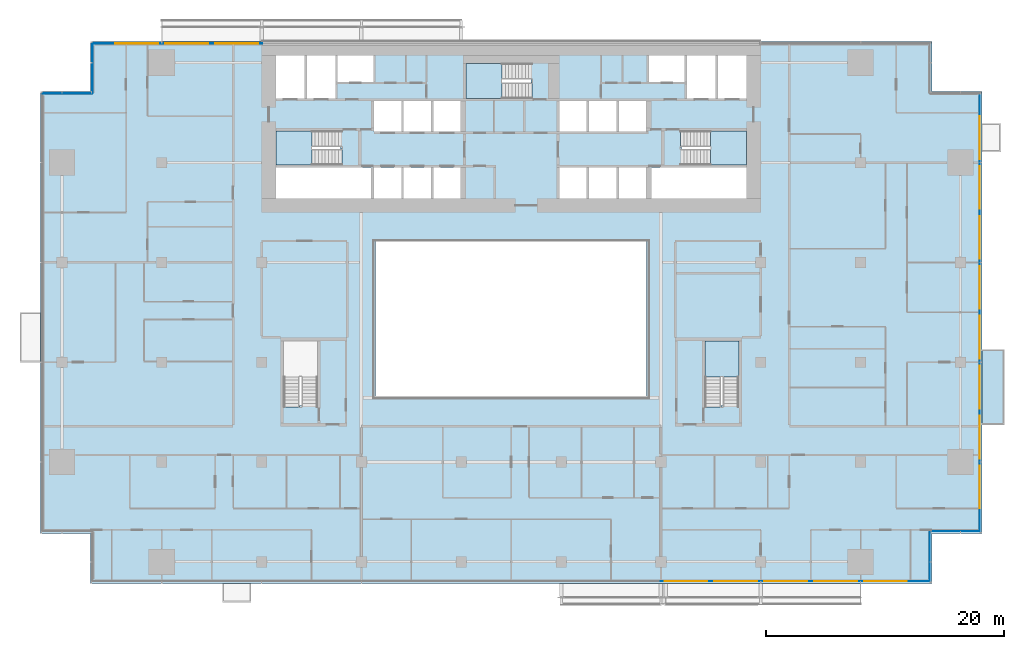
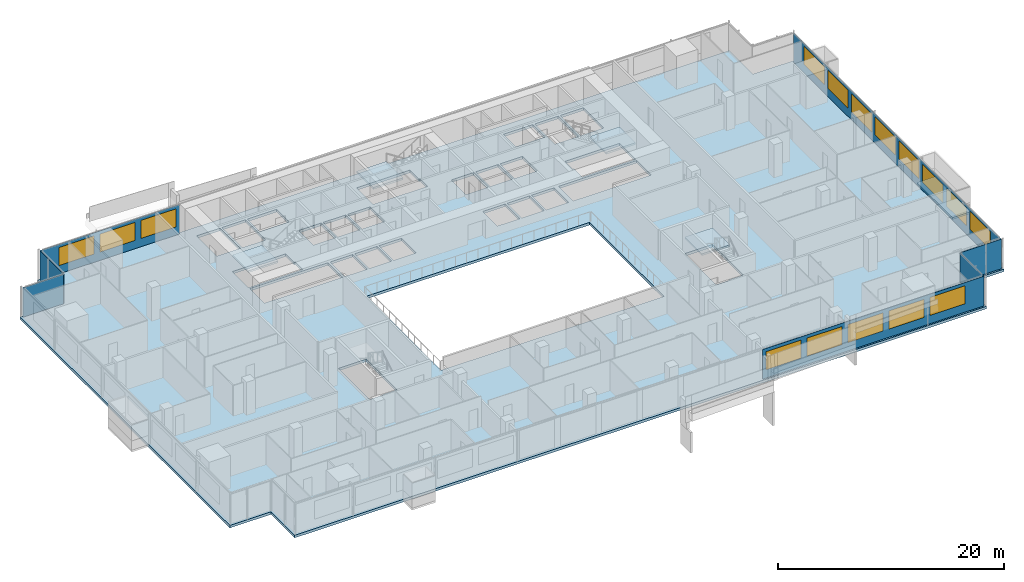
# One storey, part 15 of 27: 16 windows, 7 plates, 6 slabs, 16 openings, 11 elements without a shape of their own.
"""IFC4 building model written with IfcOpenShell, lengths in metres."""

from ifc_helpers import new_model, si_unit, direction, frame, frame_2d, origin, place, context, subcontext, project, spatial, polyline, rectangle, outline, extrude, material, layer, layer_set, type_object, element, fill, aggregate, save


model = new_model("IFC4")

# Units and contexts
model_context = context("Model", 3, precision=1e-05, world=origin(), true_north=direction((0.0, 1.0)))
body_context = subcontext(model_context, "Body", "Model", "MODEL_VIEW")
ifc_project = project(units=[si_unit("LENGTHUNIT", "METRE"), si_unit("AREAUNIT", "SQUARE_METRE"), si_unit("VOLUMEUNIT", "CUBIC_METRE"), si_unit("PLANEANGLEUNIT", "RADIAN"), si_unit("MASSUNIT", "GRAM", prefix="KILO")], contexts=[model_context])

# Site, building, storey
site_placement = place(None, origin())
site = spatial("IfcSite", under=ifc_project, at=site_placement, CompositionType="ELEMENT")
building_placement = place(site_placement, origin())
building = spatial("IfcBuilding", under=site, at=building_placement, Name="Saffron Gate Tower", CompositionType="ELEMENT")
storey_placement = place(building_placement, frame((0.0, 0.0, 66.0)))
storey = spatial("IfcBuildingStorey", under=building, at=storey_placement, Name="L15", CompositionType="ELEMENT", Elevation=66.0)

# Curtain wall, plate, openings, windows
ifc_material_1 = material(Name="Aluminium, bronze anodised", Category="aluminium")
curtain_wall_type_1 = type_object("IfcCurtainWallType", Name="CWS1 curtain wall front facade", PredefinedType="NOTDEFINED", material=ifc_material_1)
curtain_wall_1_placement = place(storey_placement, origin())
curtain_wall_1 = element("IfcCurtainWall", 1, at=curtain_wall_1_placement, inside=storey, type_object=curtain_wall_type_1, Name="CWS1 run 1", PredefinedType="NOTDEFINED")
ifc_material_2 = material(Name="Fritted bronze-tinted laminated glass", Category="glass")
ifc_layer_1 = layer(ifc_material_2, 0.028076171875)
ifc_layer_set_1 = layer_set([ifc_layer_1], Name="CWS1 fixed glass")
plate_type_1 = type_object("IfcPlateType", Name="CWS1 fixed glass", PredefinedType="CURTAIN_PANEL", material=ifc_layer_set_1)
plate_1_placement = place(storey_placement, frame((100.169921875, 30.174072265625, 0.0), z_axis=(0.0, 0.0, 1.0), x_axis=(1.0, 0.0, 0.0)))
plate_1 = element("IfcPlate", 2, at=plate_1_placement, type_object=plate_type_1, Name="CWS1 glass panel", PredefinedType="CURTAIN_PANEL", context=body_context, shape_type="SweptSolid", body=[
    extrude(rectangle(XDim=22.64208984375, YDim=0.028076171875, at=frame_2d((11.321044921875, 0.0))), origin(), (0.0, 0.0, 1.0), 3.199951171875),
])
opening_1_placement = place(plate_1_placement, frame((0.330078125, 0.0, 0.89990234375)))
opening_1 = element("IfcOpeningElement", 3, at=opening_1_placement, cuts=plate_1, Name="Opening W1", PredefinedType="OPENING", context=body_context, shape_type="SweptSolid", body=[
    extrude(rectangle(XDim=3.60009765625, YDim=1.949951171875, at=frame_2d((1.800048828125, 0.97509765625))), frame((0.0, 0.02392578125, 0.0), z_axis=(0.0, -1.0, 0.0), x_axis=(1.0, 0.0, 0.0)), (0.0, 0.0, 1.0), 0.048095703125),
])
opening_2_placement = place(plate_1_placement, frame((4.530029296875, 0.0, 0.89990234375)))
opening_2 = element("IfcOpeningElement", 4, at=opening_2_placement, cuts=plate_1, Name="Opening W1", PredefinedType="OPENING", context=body_context, shape_type="SweptSolid", body=[
    extrude(rectangle(XDim=3.60009765625, YDim=1.949951171875, at=frame_2d((1.800048828125, 0.97509765625))), frame((0.0, 0.02392578125, 0.0), z_axis=(0.0, -1.0, 0.0), x_axis=(1.0, 0.0, 0.0)), (0.0, 0.0, 1.0), 0.048095703125),
])
opening_3_placement = place(plate_1_placement, frame((8.72998046875, 0.0, 0.89990234375)))
opening_3 = element("IfcOpeningElement", 5, at=opening_3_placement, cuts=plate_1, Name="Opening W1", PredefinedType="OPENING", context=body_context, shape_type="SweptSolid", body=[
    extrude(rectangle(XDim=3.60009765625, YDim=1.949951171875, at=frame_2d((1.800048828125, 0.97509765625))), frame((0.0, 0.02392578125, 0.0), z_axis=(0.0, -1.0, 0.0), x_axis=(1.0, 0.0, 0.0)), (0.0, 0.0, 1.0), 0.048095703125),
])
opening_4_placement = place(plate_1_placement, frame((12.929931640625, 0.0, 0.89990234375)))
opening_4 = element("IfcOpeningElement", 6, at=opening_4_placement, cuts=plate_1, Name="Opening W1", PredefinedType="OPENING", context=body_context, shape_type="SweptSolid", body=[
    extrude(rectangle(XDim=3.60009765625, YDim=1.949951171875, at=frame_2d((1.800048828125, 0.97509765625))), frame((0.0, 0.02392578125, 0.0), z_axis=(0.0, -1.0, 0.0), x_axis=(1.0, 0.0, 0.0)), (0.0, 0.0, 1.0), 0.048095703125),
])
opening_5_placement = place(plate_1_placement, frame((17.1298828125, 0.0, 0.89990234375)))
opening_5 = element("IfcOpeningElement", 7, at=opening_5_placement, cuts=plate_1, Name="Opening W1", PredefinedType="OPENING", context=body_context, shape_type="SweptSolid", body=[
    extrude(rectangle(XDim=3.60009765625, YDim=1.949951171875, at=frame_2d((1.800048828125, 0.97509765625))), frame((0.0, 0.02392578125, 0.0), z_axis=(0.0, -1.0, 0.0), x_axis=(1.0, 0.0, 0.0)), (0.0, 0.0, 1.0), 0.048095703125),
])
ifc_material_3 = material(Name="Fritted bronze-tinted laminated glass in bronze frame", Category="glass")
ifc_layer_2 = layer(ifc_material_3, 0.06005859375)
ifc_layer_set_2 = layer_set([ifc_layer_2], Name="W1 operable panel 3600x1950")
window_type = type_object("IfcWindowType", Name="W1 operable panel 3600x1950", PartitioningType="DOUBLE_PANEL_HORIZONTAL", PredefinedType="WINDOW", material=ifc_layer_set_2)
window_1_placement = place(opening_1_placement, origin())
window_1 = element("IfcWindow", 8, at=window_1_placement, type_object=window_type, Name="W1 operable panel", OverallHeight=1.949951171875, OverallWidth=3.60009765625, PartitioningType="SINGLE_PANEL", PredefinedType="WINDOW", context=body_context, shape_type="SweptSolid", body=[
    extrude(rectangle(XDim=3.60009765625, YDim=1.949951171875, at=frame_2d((1.800048828125, 0.97509765625))), frame((0.0, 0.013671875, 0.0), z_axis=(0.0, -1.0, 0.0), x_axis=(1.0, 0.0, 0.0)), (0.0, 0.0, 1.0), 0.027587890625),
])
fill(opening_1, window_1)
window_2_placement = place(opening_2_placement, origin())
window_2 = element("IfcWindow", 9, at=window_2_placement, type_object=window_type, Name="W1 operable panel", OverallHeight=1.949951171875, OverallWidth=3.60009765625, PartitioningType="SINGLE_PANEL", PredefinedType="WINDOW", context=body_context, shape_type="SweptSolid", body=[
    extrude(rectangle(XDim=3.60009765625, YDim=1.949951171875, at=frame_2d((1.800048828125, 0.97509765625))), frame((0.0, 0.013671875, 0.0), z_axis=(0.0, -1.0, 0.0), x_axis=(1.0, 0.0, 0.0)), (0.0, 0.0, 1.0), 0.027587890625),
])
fill(opening_2, window_2)
window_3_placement = place(opening_3_placement, origin())
window_3 = element("IfcWindow", 10, at=window_3_placement, type_object=window_type, Name="W1 operable panel", OverallHeight=1.949951171875, OverallWidth=3.60009765625, PartitioningType="SINGLE_PANEL", PredefinedType="WINDOW", context=body_context, shape_type="SweptSolid", body=[
    extrude(rectangle(XDim=3.60009765625, YDim=1.949951171875, at=frame_2d((1.800048828125, 0.97509765625))), frame((0.0, 0.013671875, 0.0), z_axis=(0.0, -1.0, 0.0), x_axis=(1.0, 0.0, 0.0)), (0.0, 0.0, 1.0), 0.027587890625),
])
fill(opening_3, window_3)
window_4_placement = place(opening_4_placement, origin())
window_4 = element("IfcWindow", 11, at=window_4_placement, type_object=window_type, Name="W1 operable panel", OverallHeight=1.949951171875, OverallWidth=3.60009765625, PartitioningType="SINGLE_PANEL", PredefinedType="WINDOW", context=body_context, shape_type="SweptSolid", body=[
    extrude(rectangle(XDim=3.60009765625, YDim=1.949951171875, at=frame_2d((1.800048828125, 0.97509765625))), frame((0.0, 0.013671875, 0.0), z_axis=(0.0, -1.0, 0.0), x_axis=(1.0, 0.0, 0.0)), (0.0, 0.0, 1.0), 0.027587890625),
])
fill(opening_4, window_4)
window_5_placement = place(opening_5_placement, origin())
window_5 = element("IfcWindow", 12, at=window_5_placement, type_object=window_type, Name="W1 operable panel", OverallHeight=1.949951171875, OverallWidth=3.60009765625, PartitioningType="SINGLE_PANEL", PredefinedType="WINDOW", context=body_context, shape_type="SweptSolid", body=[
    extrude(rectangle(XDim=3.60009765625, YDim=1.949951171875, at=frame_2d((1.800048828125, 0.97509765625))), frame((0.0, 0.013671875, 0.0), z_axis=(0.0, -1.0, 0.0), x_axis=(1.0, 0.0, 0.0)), (0.0, 0.0, 1.0), 0.027587890625),
])
fill(opening_5, window_5)
aggregate(curtain_wall_1, [plate_1, window_1, window_2, window_3, window_4, window_5])

curtain_wall_type_2 = type_object("IfcCurtainWallType", Name="CWS2 curtain wall side facades", PredefinedType="NOTDEFINED", material=ifc_material_1)
curtain_wall_2_placement = place(storey_placement, origin())
curtain_wall_2 = element("IfcCurtainWall", 13, at=curtain_wall_2_placement, inside=storey, type_object=curtain_wall_type_2, Name="CWS2 run 4", PredefinedType="NOTDEFINED")
ifc_layer_3 = layer(ifc_material_2, 0.028076171875)
ifc_layer_set_3 = layer_set([ifc_layer_3], Name="CWS2 fixed glass")
plate_type_2 = type_object("IfcPlateType", Name="CWS2 fixed glass", PredefinedType="CURTAIN_PANEL", material=ifc_layer_set_3)
plate_2_placement = place(storey_placement, frame((127.02587890625, 34.387939453125, 0.0), z_axis=(0.0, 0.0, 1.0), x_axis=(0.0, 1.0, 0.0)))
plate_2 = element("IfcPlate", 14, at=plate_2_placement, type_object=plate_type_2, Name="CWS2 glass panel", PredefinedType="CURTAIN_PANEL", context=body_context, shape_type="SweptSolid", body=[
    extrude(rectangle(XDim=36.823974609375, YDim=0.028076171875, at=frame_2d((18.412109375, 0.0))), origin(), (0.0, 0.0, 1.0), 3.199951171875),
])
opening_6_placement = place(plate_2_placement, frame((1.912109375, 0.0, 0.89990234375)))
opening_6 = element("IfcOpeningElement", 15, at=opening_6_placement, cuts=plate_2, Name="Opening W1", PredefinedType="OPENING", context=body_context, shape_type="SweptSolid", body=[
    extrude(rectangle(XDim=3.60009765625, YDim=1.949951171875, at=frame_2d((1.800048828125, 0.97509765625))), frame((0.0, 0.02392578125, 0.0), z_axis=(0.0, -1.0, 0.0), x_axis=(1.0, 0.0, 0.0)), (0.0, 0.0, 1.0), 0.048095703125),
])
opening_7_placement = place(plate_2_placement, frame((6.112060546875, 0.0, 0.89990234375)))
opening_7 = element("IfcOpeningElement", 16, at=opening_7_placement, cuts=plate_2, Name="Opening W1", PredefinedType="OPENING", context=body_context, shape_type="SweptSolid", body=[
    extrude(rectangle(XDim=3.60009765625, YDim=1.949951171875, at=frame_2d((1.800048828125, 0.97509765625))), frame((0.0, 0.02392578125, 0.0), z_axis=(0.0, -1.0, 0.0), x_axis=(1.0, 0.0, 0.0)), (0.0, 0.0, 1.0), 0.048095703125),
])
opening_8_placement = place(plate_2_placement, frame((10.31201171875, 0.0, 0.89990234375)))
opening_8 = element("IfcOpeningElement", 17, at=opening_8_placement, cuts=plate_2, Name="Opening W1", PredefinedType="OPENING", context=body_context, shape_type="SweptSolid", body=[
    extrude(rectangle(XDim=3.60009765625, YDim=1.949951171875, at=frame_2d((1.800048828125, 0.97509765625))), frame((0.0, 0.02392578125, 0.0), z_axis=(0.0, -1.0, 0.0), x_axis=(1.0, 0.0, 0.0)), (0.0, 0.0, 1.0), 0.048095703125),
])
opening_9_placement = place(plate_2_placement, frame((14.511962890625, 0.0, 0.89990234375)))
opening_9 = element("IfcOpeningElement", 18, at=opening_9_placement, cuts=plate_2, Name="Opening W1", PredefinedType="OPENING", context=body_context, shape_type="SweptSolid", body=[
    extrude(rectangle(XDim=3.60009765625, YDim=1.949951171875, at=frame_2d((1.800048828125, 0.97509765625))), frame((0.0, 0.02392578125, 0.0), z_axis=(0.0, -1.0, 0.0), x_axis=(1.0, 0.0, 0.0)), (0.0, 0.0, 1.0), 0.048095703125),
])
opening_10_placement = place(plate_2_placement, frame((18.7119140625, 0.0, 0.89990234375)))
opening_10 = element("IfcOpeningElement", 19, at=opening_10_placement, cuts=plate_2, Name="Opening W1", PredefinedType="OPENING", context=body_context, shape_type="SweptSolid", body=[
    extrude(rectangle(XDim=3.60009765625, YDim=1.949951171875, at=frame_2d((1.800048828125, 0.97509765625))), frame((0.0, 0.02392578125, 0.0), z_axis=(0.0, -1.0, 0.0), x_axis=(1.0, 0.0, 0.0)), (0.0, 0.0, 1.0), 0.048095703125),
])
opening_11_placement = place(plate_2_placement, frame((22.912109375, 0.0, 0.89990234375)))
opening_11 = element("IfcOpeningElement", 20, at=opening_11_placement, cuts=plate_2, Name="Opening W1", PredefinedType="OPENING", context=body_context, shape_type="SweptSolid", body=[
    extrude(rectangle(XDim=3.60009765625, YDim=1.949951171875, at=frame_2d((1.800048828125, 0.97509765625))), frame((0.0, 0.02392578125, 0.0), z_axis=(0.0, -1.0, 0.0), x_axis=(1.0, 0.0, 0.0)), (0.0, 0.0, 1.0), 0.048095703125),
])
opening_12_placement = place(plate_2_placement, frame((27.112060546875, 0.0, 0.89990234375)))
opening_12 = element("IfcOpeningElement", 21, at=opening_12_placement, cuts=plate_2, Name="Opening W1", PredefinedType="OPENING", context=body_context, shape_type="SweptSolid", body=[
    extrude(rectangle(XDim=3.60009765625, YDim=1.949951171875, at=frame_2d((1.800048828125, 0.97509765625))), frame((0.0, 0.02392578125, 0.0), z_axis=(0.0, -1.0, 0.0), x_axis=(1.0, 0.0, 0.0)), (0.0, 0.0, 1.0), 0.048095703125),
])
opening_13_placement = place(plate_2_placement, frame((31.31201171875, 0.0, 0.89990234375)))
opening_13 = element("IfcOpeningElement", 22, at=opening_13_placement, cuts=plate_2, Name="Opening W1", PredefinedType="OPENING", context=body_context, shape_type="SweptSolid", body=[
    extrude(rectangle(XDim=3.60009765625, YDim=1.949951171875, at=frame_2d((1.800048828125, 0.97509765625))), frame((0.0, 0.02392578125, 0.0), z_axis=(0.0, -1.0, 0.0), x_axis=(1.0, 0.0, 0.0)), (0.0, 0.0, 1.0), 0.048095703125),
])
window_6_placement = place(opening_6_placement, origin())
window_6 = element("IfcWindow", 23, at=window_6_placement, type_object=window_type, Name="W1 operable panel", OverallHeight=1.949951171875, OverallWidth=3.60009765625, PartitioningType="SINGLE_PANEL", PredefinedType="WINDOW", context=body_context, shape_type="SweptSolid", body=[
    extrude(rectangle(XDim=3.60009765625, YDim=1.949951171875, at=frame_2d((1.800048828125, 0.97509765625))), frame((0.0, 0.013671875, 0.0), z_axis=(0.0, -1.0, 0.0), x_axis=(1.0, 0.0, 0.0)), (0.0, 0.0, 1.0), 0.027587890625),
])
fill(opening_6, window_6)
window_7_placement = place(opening_7_placement, origin())
window_7 = element("IfcWindow", 24, at=window_7_placement, type_object=window_type, Name="W1 operable panel", OverallHeight=1.949951171875, OverallWidth=3.60009765625, PartitioningType="SINGLE_PANEL", PredefinedType="WINDOW", context=body_context, shape_type="SweptSolid", body=[
    extrude(rectangle(XDim=3.60009765625, YDim=1.949951171875, at=frame_2d((1.800048828125, 0.97509765625))), frame((0.0, 0.013671875, 0.0), z_axis=(0.0, -1.0, 0.0), x_axis=(1.0, 0.0, 0.0)), (0.0, 0.0, 1.0), 0.027587890625),
])
fill(opening_7, window_7)
window_8_placement = place(opening_8_placement, origin())
window_8 = element("IfcWindow", 25, at=window_8_placement, type_object=window_type, Name="W1 operable panel", OverallHeight=1.949951171875, OverallWidth=3.60009765625, PartitioningType="SINGLE_PANEL", PredefinedType="WINDOW", context=body_context, shape_type="SweptSolid", body=[
    extrude(rectangle(XDim=3.60009765625, YDim=1.949951171875, at=frame_2d((1.800048828125, 0.97509765625))), frame((0.0, 0.013671875, 0.0), z_axis=(0.0, -1.0, 0.0), x_axis=(1.0, 0.0, 0.0)), (0.0, 0.0, 1.0), 0.027587890625),
])
fill(opening_8, window_8)
window_9_placement = place(opening_9_placement, origin())
window_9 = element("IfcWindow", 26, at=window_9_placement, type_object=window_type, Name="W1 operable panel", OverallHeight=1.949951171875, OverallWidth=3.60009765625, PartitioningType="SINGLE_PANEL", PredefinedType="WINDOW", context=body_context, shape_type="SweptSolid", body=[
    extrude(rectangle(XDim=3.60009765625, YDim=1.949951171875, at=frame_2d((1.800048828125, 0.97509765625))), frame((0.0, 0.013671875, 0.0), z_axis=(0.0, -1.0, 0.0), x_axis=(1.0, 0.0, 0.0)), (0.0, 0.0, 1.0), 0.027587890625),
])
fill(opening_9, window_9)
window_10_placement = place(opening_10_placement, origin())
window_10 = element("IfcWindow", 27, at=window_10_placement, type_object=window_type, Name="W1 operable panel", OverallHeight=1.949951171875, OverallWidth=3.60009765625, PartitioningType="SINGLE_PANEL", PredefinedType="WINDOW", context=body_context, shape_type="SweptSolid", body=[
    extrude(rectangle(XDim=3.60009765625, YDim=1.949951171875, at=frame_2d((1.800048828125, 0.97509765625))), frame((0.0, 0.013671875, 0.0), z_axis=(0.0, -1.0, 0.0), x_axis=(1.0, 0.0, 0.0)), (0.0, 0.0, 1.0), 0.027587890625),
])
fill(opening_10, window_10)
window_11_placement = place(opening_11_placement, origin())
window_11 = element("IfcWindow", 28, at=window_11_placement, type_object=window_type, Name="W1 operable panel", OverallHeight=1.949951171875, OverallWidth=3.60009765625, PartitioningType="SINGLE_PANEL", PredefinedType="WINDOW", context=body_context, shape_type="SweptSolid", body=[
    extrude(rectangle(XDim=3.60009765625, YDim=1.949951171875, at=frame_2d((1.800048828125, 0.97509765625))), frame((0.0, 0.013671875, 0.0), z_axis=(0.0, -1.0, 0.0), x_axis=(1.0, 0.0, 0.0)), (0.0, 0.0, 1.0), 0.027587890625),
])
fill(opening_11, window_11)
window_12_placement = place(opening_12_placement, origin())
window_12 = element("IfcWindow", 29, at=window_12_placement, type_object=window_type, Name="W1 operable panel", OverallHeight=1.949951171875, OverallWidth=3.60009765625, PartitioningType="SINGLE_PANEL", PredefinedType="WINDOW", context=body_context, shape_type="SweptSolid", body=[
    extrude(rectangle(XDim=3.60009765625, YDim=1.949951171875, at=frame_2d((1.800048828125, 0.97509765625))), frame((0.0, 0.013671875, 0.0), z_axis=(0.0, -1.0, 0.0), x_axis=(1.0, 0.0, 0.0)), (0.0, 0.0, 1.0), 0.027587890625),
])
fill(opening_12, window_12)
window_13_placement = place(opening_13_placement, origin())
window_13 = element("IfcWindow", 30, at=window_13_placement, type_object=window_type, Name="W1 operable panel", OverallHeight=1.949951171875, OverallWidth=3.60009765625, PartitioningType="SINGLE_PANEL", PredefinedType="WINDOW", context=body_context, shape_type="SweptSolid", body=[
    extrude(rectangle(XDim=3.60009765625, YDim=1.949951171875, at=frame_2d((1.800048828125, 0.97509765625))), frame((0.0, 0.013671875, 0.0), z_axis=(0.0, -1.0, 0.0), x_axis=(1.0, 0.0, 0.0)), (0.0, 0.0, 1.0), 0.027587890625),
])
fill(opening_13, window_13)
aggregate(curtain_wall_2, [plate_2, window_6, window_7, window_8, window_9, window_10, window_11, window_12, window_13])

curtain_wall_type_3 = type_object("IfcCurtainWallType", Name="CWS3 curtain wall rear facade", PredefinedType="NOTDEFINED", material=ifc_material_1)
curtain_wall_3_placement = place(storey_placement, origin())
curtain_wall_3 = element("IfcCurtainWall", 31, at=curtain_wall_3_placement, inside=storey, type_object=curtain_wall_type_3, Name="CWS3 run 7", PredefinedType="NOTDEFINED")
ifc_material_4 = material(Name="Fritted grey-tinted laminated glass", Category="glass")
ifc_layer_4 = layer(ifc_material_4, 0.028076171875)
ifc_layer_set_4 = layer_set([ifc_layer_4], Name="CWS3 fixed glass")
plate_type_3 = type_object("IfcPlateType", Name="CWS3 fixed glass", PredefinedType="CURTAIN_PANEL", material=ifc_layer_set_4)
plate_3_placement = place(storey_placement, frame((66.635009765625, 75.426025390625, 0.0), z_axis=(0.0, 0.0, 1.0), x_axis=(-1.0, 0.0, 0.0)))
plate_3 = element("IfcPlate", 32, at=plate_3_placement, type_object=plate_type_3, Name="CWS3 glass panel", PredefinedType="CURTAIN_PANEL", context=body_context, shape_type="SweptSolid", body=[
    extrude(rectangle(XDim=14.2470703125, YDim=0.028076171875, at=frame_2d((7.12353515625, 0.0))), origin(), (0.0, 0.0, 1.0), 3.199951171875),
])
opening_14_placement = place(plate_3_placement, frame((0.3349609375, 0.0, 0.89990234375)))
opening_14 = element("IfcOpeningElement", 33, at=opening_14_placement, cuts=plate_3, Name="Opening W1", PredefinedType="OPENING", context=body_context, shape_type="SweptSolid", body=[
    extrude(rectangle(XDim=3.60009765625, YDim=1.949951171875, at=frame_2d((1.800048828125, 0.97509765625))), frame((0.0, 0.02392578125, 0.0), z_axis=(0.0, -1.0, 0.0), x_axis=(1.0, 0.0, 0.0)), (0.0, 0.0, 1.0), 0.048095703125),
])
opening_15_placement = place(plate_3_placement, frame((4.534912109375, 0.0, 0.89990234375)))
opening_15 = element("IfcOpeningElement", 34, at=opening_15_placement, cuts=plate_3, Name="Opening W1", PredefinedType="OPENING", context=body_context, shape_type="SweptSolid", body=[
    extrude(rectangle(XDim=3.60009765625, YDim=1.949951171875, at=frame_2d((1.800048828125, 0.97509765625))), frame((0.0, 0.02392578125, 0.0), z_axis=(0.0, -1.0, 0.0), x_axis=(1.0, 0.0, 0.0)), (0.0, 0.0, 1.0), 0.048095703125),
])
opening_16_placement = place(plate_3_placement, frame((8.735107421875, 0.0, 0.89990234375)))
opening_16 = element("IfcOpeningElement", 35, at=opening_16_placement, cuts=plate_3, Name="Opening W1", PredefinedType="OPENING", context=body_context, shape_type="SweptSolid", body=[
    extrude(rectangle(XDim=3.60009765625, YDim=1.949951171875, at=frame_2d((1.800048828125, 0.97509765625))), frame((0.0, 0.02392578125, 0.0), z_axis=(0.0, -1.0, 0.0), x_axis=(1.0, 0.0, 0.0)), (0.0, 0.0, 1.0), 0.048095703125),
])
window_14_placement = place(opening_14_placement, origin())
window_14 = element("IfcWindow", 36, at=window_14_placement, type_object=window_type, Name="W1 operable panel", OverallHeight=1.949951171875, OverallWidth=3.60009765625, PartitioningType="SINGLE_PANEL", PredefinedType="WINDOW", context=body_context, shape_type="SweptSolid", body=[
    extrude(rectangle(XDim=3.60009765625, YDim=1.949951171875, at=frame_2d((1.800048828125, 0.97509765625))), frame((0.0, 0.013671875, 0.0), z_axis=(0.0, -1.0, 0.0), x_axis=(1.0, 0.0, 0.0)), (0.0, 0.0, 1.0), 0.027587890625),
])
fill(opening_14, window_14)
window_15_placement = place(opening_15_placement, origin())
window_15 = element("IfcWindow", 37, at=window_15_placement, type_object=window_type, Name="W1 operable panel", OverallHeight=1.949951171875, OverallWidth=3.60009765625, PartitioningType="SINGLE_PANEL", PredefinedType="WINDOW", context=body_context, shape_type="SweptSolid", body=[
    extrude(rectangle(XDim=3.60009765625, YDim=1.949951171875, at=frame_2d((1.800048828125, 0.97509765625))), frame((0.0, 0.013671875, 0.0), z_axis=(0.0, -1.0, 0.0), x_axis=(1.0, 0.0, 0.0)), (0.0, 0.0, 1.0), 0.027587890625),
])
fill(opening_15, window_15)
window_16_placement = place(opening_16_placement, origin())
window_16 = element("IfcWindow", 38, at=window_16_placement, type_object=window_type, Name="W1 operable panel", OverallHeight=1.949951171875, OverallWidth=3.60009765625, PartitioningType="SINGLE_PANEL", PredefinedType="WINDOW", context=body_context, shape_type="SweptSolid", body=[
    extrude(rectangle(XDim=3.60009765625, YDim=1.949951171875, at=frame_2d((1.800048828125, 0.97509765625))), frame((0.0, 0.013671875, 0.0), z_axis=(0.0, -1.0, 0.0), x_axis=(1.0, 0.0, 0.0)), (0.0, 0.0, 1.0), 0.027587890625),
])
fill(opening_16, window_16)
aggregate(curtain_wall_3, [plate_3, window_14, window_15, window_16])

# Curtain wall, plate
curtain_wall_type_4 = type_object("IfcCurtainWallType", Name="CWS4 curtain wall corner returns", PredefinedType="NOTDEFINED", material=ifc_material_1)
curtain_wall_4_placement = place(storey_placement, origin())
curtain_wall_4 = element("IfcCurtainWall", 39, at=curtain_wall_4_placement, inside=storey, type_object=curtain_wall_type_4, Name="CWS4 run 2", PredefinedType="NOTDEFINED")
ifc_layer_5 = layer(ifc_material_2, 0.028076171875)
ifc_layer_set_5 = layer_set([ifc_layer_5], Name="CWS4 fixed glass")
plate_type_4 = type_object("IfcPlateType", Name="CWS4 fixed glass", PredefinedType="CURTAIN_PANEL", material=ifc_layer_set_5)
plate_4_placement = place(storey_placement, frame((122.825927734375, 30.18798828125, 0.0), z_axis=(0.0, 0.0, 1.0), x_axis=(0.0, 1.0, 0.0)))
plate_4 = element("IfcPlate", 40, at=plate_4_placement, type_object=plate_type_4, Name="CWS4 glass panel", PredefinedType="CURTAIN_PANEL", context=body_context, shape_type="SweptSolid", body=[
    extrude(rectangle(XDim=4.172119140625, YDim=0.028076171875, at=frame_2d((2.0859375, 0.0))), origin(), (0.0, 0.0, 1.0), 3.199951171875),
])
aggregate(curtain_wall_4, [plate_4])

curtain_wall_5_placement = place(storey_placement, origin())
curtain_wall_5 = element("IfcCurtainWall", 41, at=curtain_wall_5_placement, inside=storey, type_object=curtain_wall_type_4, Name="CWS4 run 3", PredefinedType="NOTDEFINED")
plate_5_placement = place(storey_placement, frame((122.840087890625, 34.3740234375, 0.0), z_axis=(0.0, 0.0, 1.0), x_axis=(1.0, 0.0, 0.0)))
plate_5 = element("IfcPlate", 42, at=plate_5_placement, type_object=plate_type_4, Name="CWS4 glass panel", PredefinedType="CURTAIN_PANEL", context=body_context, shape_type="SweptSolid", body=[
    extrude(rectangle(XDim=4.171875, YDim=0.028076171875, at=frame_2d((2.0859375, 0.0))), origin(), (0.0, 0.0, 1.0), 3.199951171875),
])
aggregate(curtain_wall_5, [plate_5])

curtain_wall_6_placement = place(storey_placement, origin())
curtain_wall_6 = element("IfcCurtainWall", 43, at=curtain_wall_6_placement, inside=storey, type_object=curtain_wall_type_4, Name="CWS4 run 8", PredefinedType="NOTDEFINED")
plate_6_placement = place(storey_placement, frame((52.3740234375, 75.412109375, 0.0), z_axis=(0.0, 0.0, 1.0), x_axis=(0.0, -1.0, 0.0)))
plate_6 = element("IfcPlate", 44, at=plate_6_placement, type_object=plate_type_4, Name="CWS4 glass panel", PredefinedType="CURTAIN_PANEL", context=body_context, shape_type="SweptSolid", body=[
    extrude(rectangle(XDim=4.172119140625, YDim=0.028076171875, at=frame_2d((2.0859375, 0.0))), origin(), (0.0, 0.0, 1.0), 3.199951171875),
])
aggregate(curtain_wall_6, [plate_6])

curtain_wall_7_placement = place(storey_placement, origin())
curtain_wall_7 = element("IfcCurtainWall", 45, at=curtain_wall_7_placement, inside=storey, type_object=curtain_wall_type_4, Name="CWS4 run 9", PredefinedType="NOTDEFINED")
plate_7_placement = place(storey_placement, frame((52.360107421875, 71.22607421875, 0.0), z_axis=(0.0, 0.0, 1.0), x_axis=(-1.0, 0.0, 0.0)))
plate_7 = element("IfcPlate", 46, at=plate_7_placement, type_object=plate_type_4, Name="CWS4 glass panel", PredefinedType="CURTAIN_PANEL", context=body_context, shape_type="SweptSolid", body=[
    extrude(rectangle(XDim=4.172119140625, YDim=0.028076171875, at=frame_2d((2.0859375, 0.0))), origin(), (0.0, 0.0, 1.0), 3.199951171875),
])
aggregate(curtain_wall_7, [plate_7])

# Slab
ifc_material_5 = material(Name="Concrete C40", Category="concrete")
ifc_layer_6 = layer(ifc_material_5, 0.280029296875)
ifc_layer_set_6 = layer_set([ifc_layer_6], Name="S2 FLOOR SLAB 280 CONCRETE C40")
slab_type_1 = type_object("IfcSlabType", Name="S2 FLOOR SLAB 280 CONCRETE C40", PredefinedType="FLOOR", material=ifc_layer_set_6)
slab_1_placement = place(storey_placement, frame((0.0, 0.0, -0.280029296875)))
element("IfcSlab", 47, at=slab_1_placement, inside=storey, type_object=slab_type_1, Name="S2 FLOOR SLAB", PredefinedType="FLOOR", context=body_context, shape_type="SweptSolid", body=[
    extrude(outline(polyline([(48.0, 34.199951171875), (52.199951171875, 34.199951171875), (52.199951171875, 30.0), (123.0, 30.0), (123.0, 34.199951171875), (127.199951171875, 34.199951171875), (127.199951171875, 71.39990234375), (123.0, 71.39990234375), (123.0, 75.60009765625), (52.199951171875, 75.60009765625), (52.199951171875, 71.39990234375), (48.0, 71.39990234375), (48.0, 34.199951171875)]), holes=[polyline([(67.800048828125, 62.39990234375), (67.800048828125, 65.0), (75.800048828125, 65.0), (75.800048828125, 62.39990234375), (67.800048828125, 62.39990234375)]), polyline([(67.800048828125, 65.199951171875), (67.800048828125, 68.050048828125), (73.25, 68.050048828125), (73.25, 66.550048828125), (73.34912109375, 66.550048828125), (73.34912109375, 65.199951171875), (67.800048828125, 65.199951171875)]), polyline([(67.800048828125, 70.800048828125), (67.800048828125, 74.39990234375), (70.199951171875, 74.39990234375), (70.199951171875, 70.800048828125), (67.800048828125, 70.800048828125)]), polyline([(68.449951171875, 44.85107421875), (68.449951171875, 50.39990234375), (71.300048828125, 50.39990234375), (71.300048828125, 44.949951171875), (69.800048828125, 44.949951171875), (69.800048828125, 44.85107421875), (68.449951171875, 44.85107421875)]), polyline([(70.39990234375, 70.800048828125), (70.39990234375, 74.39990234375), (72.800048828125, 74.39990234375), (72.800048828125, 70.800048828125), (70.39990234375, 70.800048828125)]), polyline([(73.0, 72.199951171875), (73.0, 74.39990234375), (76.0, 74.39990234375), (76.0, 72.199951171875), (73.0, 72.199951171875)]), polyline([(76.050048828125, 62.39990234375), (76.050048828125, 65.0), (78.35009765625, 65.0), (78.35009765625, 62.39990234375), (76.050048828125, 62.39990234375)]), polyline([(76.050048828125, 68.0), (76.050048828125, 70.60009765625), (78.35009765625, 70.60009765625), (78.35009765625, 68.0), (76.050048828125, 68.0)]), polyline([(76.199951171875, 45.60009765625), (76.199951171875, 58.800048828125), (99.0, 58.800048828125), (99.0, 45.60009765625), (76.199951171875, 45.60009765625)]), polyline([(78.550048828125, 62.39990234375), (78.550048828125, 65.0), (80.85009765625, 65.0), (80.85009765625, 62.39990234375), (78.550048828125, 62.39990234375)]), polyline([(78.550048828125, 68.0), (78.550048828125, 70.60009765625), (80.85009765625, 70.60009765625), (80.85009765625, 68.0), (78.550048828125, 68.0)]), polyline([(81.050048828125, 62.39990234375), (81.050048828125, 65.0), (83.35009765625, 65.0), (83.35009765625, 62.39990234375), (81.050048828125, 62.39990234375)]), polyline([(81.050048828125, 68.0), (81.050048828125, 70.60009765625), (83.35009765625, 70.60009765625), (83.35009765625, 68.0), (81.050048828125, 68.0)]), polyline([(83.800048828125, 70.800048828125), (83.800048828125, 73.75), (89.25, 73.75), (89.25, 72.14990234375), (89.34912109375, 72.14990234375), (89.34912109375, 70.800048828125), (83.800048828125, 70.800048828125)]), polyline([(91.64990234375, 62.39990234375), (91.64990234375, 65.0), (93.949951171875, 65.0), (93.949951171875, 62.39990234375), (91.64990234375, 62.39990234375)]), polyline([(91.64990234375, 68.0), (91.64990234375, 70.60009765625), (93.949951171875, 70.60009765625), (93.949951171875, 68.0), (91.64990234375, 68.0)]), polyline([(94.14990234375, 62.39990234375), (94.14990234375, 65.0), (96.449951171875, 65.0), (96.449951171875, 62.39990234375), (94.14990234375, 62.39990234375)]), polyline([(94.14990234375, 68.0), (94.14990234375, 70.60009765625), (96.449951171875, 70.60009765625), (96.449951171875, 68.0), (94.14990234375, 68.0)]), polyline([(96.64990234375, 62.39990234375), (96.64990234375, 65.0), (98.949951171875, 65.0), (98.949951171875, 62.39990234375), (96.64990234375, 62.39990234375)]), polyline([(96.64990234375, 68.0), (96.64990234375, 70.60009765625), (98.949951171875, 70.60009765625), (98.949951171875, 68.0), (96.64990234375, 68.0)]), polyline([(99.199951171875, 72.199951171875), (99.199951171875, 74.39990234375), (102.199951171875, 74.39990234375), (102.199951171875, 72.199951171875), (99.199951171875, 72.199951171875)]), polyline([(99.39990234375, 62.39990234375), (99.39990234375, 65.0), (107.39990234375, 65.0), (107.39990234375, 62.39990234375), (99.39990234375, 62.39990234375)]), polyline([(101.85107421875, 66.699951171875), (101.85107421875, 68.050048828125), (107.39990234375, 68.050048828125), (107.39990234375, 65.199951171875), (101.949951171875, 65.199951171875), (101.949951171875, 66.699951171875), (101.85107421875, 66.699951171875)]), polyline([(102.39990234375, 70.800048828125), (102.39990234375, 74.39990234375), (104.800048828125, 74.39990234375), (104.800048828125, 70.800048828125), (102.39990234375, 70.800048828125)]), polyline([(103.89990234375, 44.85107421875), (103.89990234375, 50.39990234375), (106.75, 50.39990234375), (106.75, 44.949951171875), (105.25, 44.949951171875), (105.25, 44.85107421875), (103.89990234375, 44.85107421875)]), polyline([(105.0, 70.800048828125), (105.0, 74.39990234375), (107.39990234375, 74.39990234375), (107.39990234375, 70.800048828125), (105.0, 70.800048828125)])]), origin(), (0.0, 0.0, 1.0), 0.280029296875),
])

# Stair, slab
stair_type = type_object("IfcStairType", Name="ST7 Stair 1350 wide, 20 risers of 180", PredefinedType="HALF_TURN_STAIR", material=ifc_material_5)
stair_1_placement = place(storey_placement, origin())
stair_1 = element("IfcStair", 48, at=stair_1_placement, inside=storey, type_object=stair_type, Name="L15 Exit stair A", PredefinedType="HALF_TURN_STAIR")
ifc_layer_7 = layer(ifc_material_5, 0.199951171875)
ifc_layer_set_7 = layer_set([ifc_layer_7], Name="SL1 Stair landing 200")
slab_type_2 = type_object("IfcSlabType", Name="SL1 Stair landing 200", PredefinedType="LANDING", material=ifc_layer_set_7)
slab_2_placement = place(storey_placement, frame((0.0, 0.0, 1.60009765625)))
slab_2 = element("IfcSlab", 49, at=slab_2_placement, type_object=slab_type_2, Name="ST-A landing 1", PredefinedType="LANDING", context=body_context, shape_type="SweptSolid", body=[
    extrude(outline(polyline([(70.830078125, 68.050048828125), (67.800048828125, 68.050048828125), (67.800048828125, 65.199951171875), (70.830078125, 65.199951171875), (70.830078125, 68.050048828125)])), origin(), (0.0, 0.0, 1.0), 0.199951171875),
])
aggregate(stair_1, [slab_2])

stair_2_placement = place(storey_placement, origin())
stair_2 = element("IfcStair", 50, at=stair_2_placement, inside=storey, type_object=stair_type, Name="L15 Exit stair B", PredefinedType="HALF_TURN_STAIR")
slab_3_placement = place(storey_placement, frame((0.0, 0.0, 1.60009765625)))
slab_3 = element("IfcSlab", 51, at=slab_3_placement, type_object=slab_type_2, Name="ST-B landing 1", PredefinedType="LANDING", context=body_context, shape_type="SweptSolid", body=[
    extrude(outline(polyline([(104.3701171875, 65.199951171875), (107.39990234375, 65.199951171875), (107.39990234375, 68.050048828125), (104.3701171875, 68.050048828125), (104.3701171875, 65.199951171875)])), origin(), (0.0, 0.0, 1.0), 0.199951171875),
])
aggregate(stair_2, [slab_3])

stair_3_placement = place(storey_placement, origin())
stair_3 = element("IfcStair", 52, at=stair_3_placement, inside=storey, type_object=stair_type, Name="L15 Exit stair C", PredefinedType="HALF_TURN_STAIR")
slab_4_placement = place(storey_placement, frame((0.0, 0.0, 1.60009765625)))
slab_4 = element("IfcSlab", 53, at=slab_4_placement, type_object=slab_type_2, Name="ST-C landing 1", PredefinedType="LANDING", context=body_context, shape_type="SweptSolid", body=[
    extrude(outline(polyline([(86.830078125, 73.75), (83.800048828125, 73.75), (83.800048828125, 70.800048828125), (86.830078125, 70.800048828125), (86.830078125, 73.75)])), origin(), (0.0, 0.0, 1.0), 0.199951171875),
])
aggregate(stair_3, [slab_4])

stair_4_placement = place(storey_placement, origin())
stair_4 = element("IfcStair", 54, at=stair_4_placement, inside=storey, type_object=stair_type, Name="L15 Exit stair E", PredefinedType="HALF_TURN_STAIR")
slab_5_placement = place(storey_placement, frame((0.0, 0.0, 1.60009765625)))
slab_5 = element("IfcSlab", 55, at=slab_5_placement, type_object=slab_type_2, Name="ST-E landing 1", PredefinedType="LANDING", context=body_context, shape_type="SweptSolid", body=[
    extrude(outline(polyline([(106.75, 47.3701171875), (106.75, 50.39990234375), (103.89990234375, 50.39990234375), (103.89990234375, 47.3701171875), (106.75, 47.3701171875)])), origin(), (0.0, 0.0, 1.0), 0.199951171875),
])
aggregate(stair_4, [slab_5])

# Slab
ifc_material_6 = material(Name="Timber deck on bronze frame", Category="wood")
ifc_layer_8 = layer(ifc_material_6, 0.199951171875)
ifc_layer_set_8 = layer_set([ifc_layer_8], Name="WB1 box floor")
slab_type_3 = type_object("IfcSlabType", Name="WB1 box floor", PredefinedType="FLOOR", material=ifc_layer_set_8)
slab_6_placement = place(storey_placement, frame((0.0, 0.0, -0.199951171875)))
element("IfcSlab", 56, at=slab_6_placement, inside=storey, type_object=slab_type_3, Name="WINDOW BOX floor", PredefinedType="FLOOR", context=body_context, shape_type="SweptSolid", body=[
    extrude(outline(polyline([(127.199951171875, 43.35009765625), (127.199951171875, 49.64990234375), (129.06689453125, 49.64990234375), (129.06689453125, 43.35009765625), (127.199951171875, 43.35009765625)])), origin(), (0.0, 0.0, 1.0), 0.199951171875),
])

save(model, "model.ifc")
